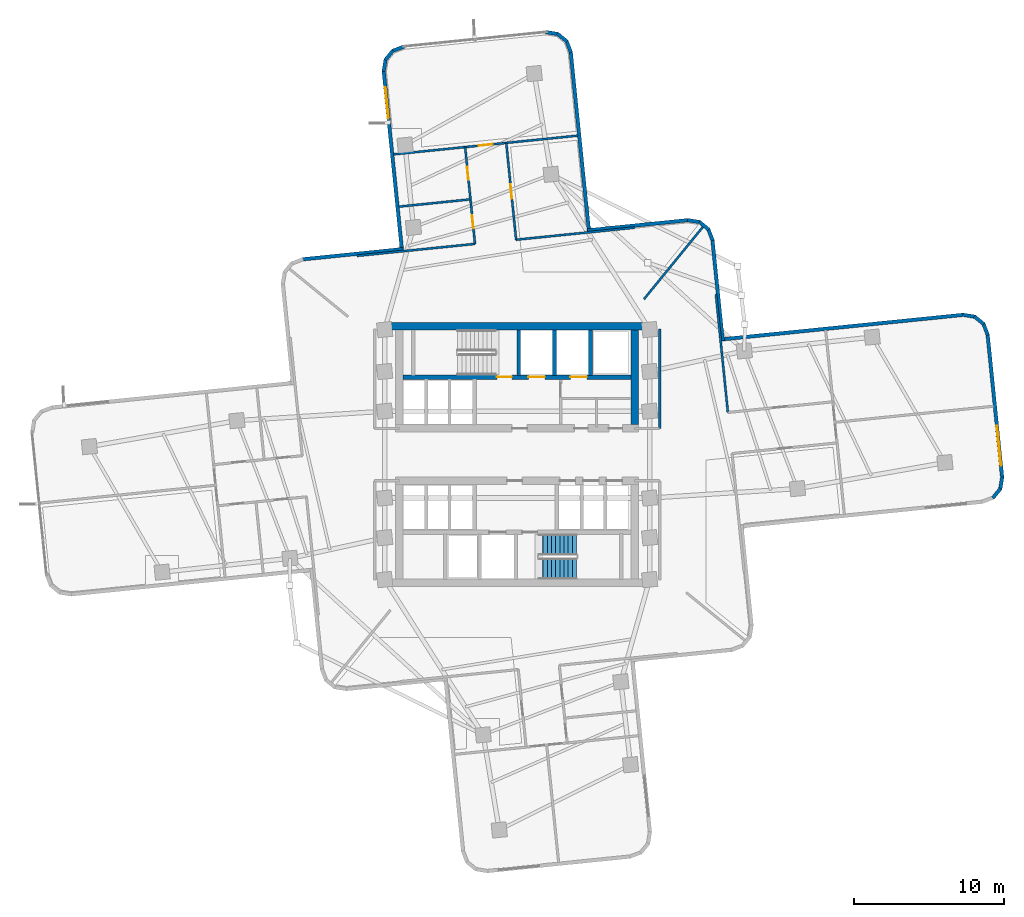
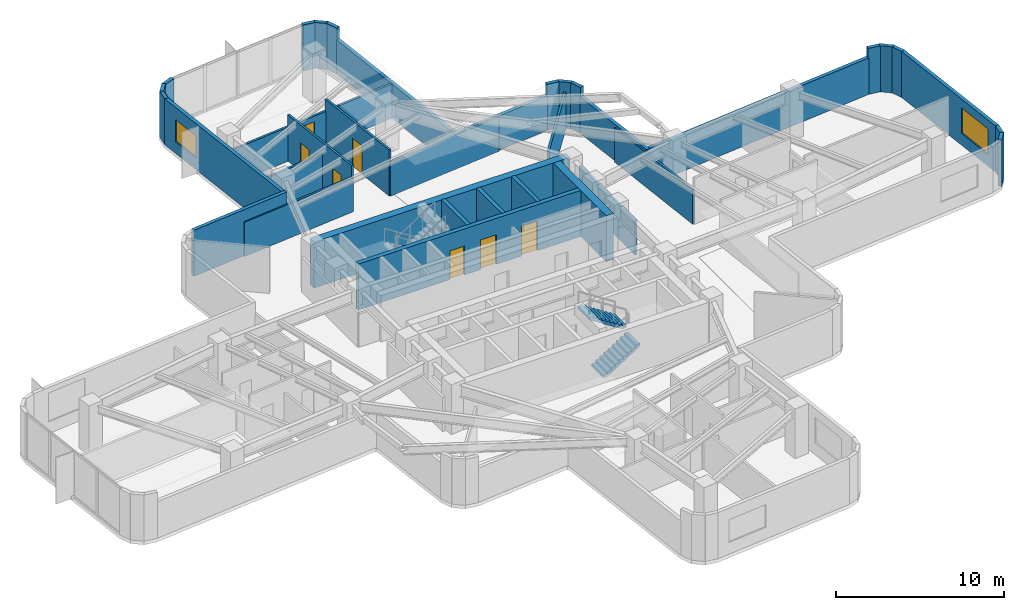
# One storey, part 8 of 12: 36 walls, 7 doors, 2 stair flights, 2 windows, 9 openings, 1 element without a shape of its own.
"""IFC4 building model written with IfcOpenShell, lengths in metres."""

from ifc_helpers import new_model, si_unit, direction, frame, frame_2d, origin, place, context, subcontext, project, spatial, polyline, rectangle, outline, extrude, material, layer, layer_set, type_object, element, fill, aggregate, save


model = new_model("IFC4")

# Units and contexts
model_context = context("Model", 3, precision=1e-05, world=origin(), true_north=direction((0.0, 1.0)))
body_context = subcontext(model_context, "Body", "Model", "MODEL_VIEW")
ifc_project = project(units=[si_unit("LENGTHUNIT", "METRE"), si_unit("AREAUNIT", "SQUARE_METRE"), si_unit("VOLUMEUNIT", "CUBIC_METRE"), si_unit("PLANEANGLEUNIT", "RADIAN"), si_unit("MASSUNIT", "GRAM", prefix="KILO")], contexts=[model_context])

# Site, building, storey
site_placement = place(None, origin())
site = spatial("IfcSite", under=ifc_project, at=site_placement, CompositionType="ELEMENT")
building_placement = place(site_placement, origin())
building = spatial("IfcBuilding", under=site, at=building_placement, Name="Solmarez Civic Tower", CompositionType="ELEMENT")
storey_placement = place(building_placement, frame((0.0, 0.0, 74.8798828125)))
storey = spatial("IfcBuildingStorey", under=building, at=storey_placement, Name="L19", CompositionType="ELEMENT", Elevation=74.8798828125)

# Walls
ifc_material_1 = material(Name="Concrete C60/75", Category="concrete")
ifc_layer_1 = layer(ifc_material_1, 0.5)
ifc_layer_set_1 = layer_set([ifc_layer_1], Name="Concrete C60/75")
wall_type_1 = type_object("IfcWallType", Name="WALL-CORE-500", PredefinedType="SHEAR", material=ifc_layer_set_1)
wall_1_placement = place(storey_placement, frame((-8.780029296875, 8.56005859375, 0.0), z_axis=(0.0, 0.0, 1.0), x_axis=(1.0, 0.0, 0.0)))
element("IfcWall", 1, at=wall_1_placement, inside=storey, type_object=wall_type_1, Name="L19 Split-Core Structural Wall NCW-N-L19", PredefinedType="SHEAR", context=body_context, shape_type="SweptSolid", body=[
    extrude(rectangle(XDim=17.56005859375, YDim=0.5, at=frame_2d((8.780029296875, 0.0))), origin(), (0.0, 0.0, 1.0), 3.340087890625),
])
wall_2_placement = place(storey_placement, frame((7.8701171875, 8.31005859375, 0.0), z_axis=(0.0, 0.0, 1.0), x_axis=(0.0, -1.0, 0.0)))
element("IfcWall", 2, at=wall_2_placement, inside=storey, type_object=wall_type_1, Name="L19 Split-Core Structural Wall NCW-E-L19", PredefinedType="SHEAR", context=body_context, shape_type="SweptSolid", body=[
    extrude(rectangle(XDim=6.31005859375, YDim=0.5, at=frame_2d((3.155029296875, 0.0))), origin(), (0.0, 0.0, 1.0), 3.340087890625),
])
ifc_material_2 = material(Name="Precast concrete C40/50", Category="concrete")
ifc_layer_2 = layer(ifc_material_2, 0.239990234375)
ifc_layer_set_2 = layer_set([ifc_layer_2], Name="Precast concrete C40/50")
wall_type_2 = type_object("IfcWallType", Name="WALL-EXT-240", PredefinedType="SOLIDWALL", material=ifc_layer_set_2)
wall_3_placement = place(storey_placement, frame((-14.35107421875, 13.0458984375, 0.0), z_axis=(0.0, 0.0, 1.0), x_axis=(0.994861212257, 0.101248053545, 0.0)))
element("IfcWall", 3, at=wall_3_placement, inside=storey, type_object=wall_type_2, Name="L19 Exterior Precast Wall 17", PredefinedType="SOLIDWALL", context=body_context, shape_type="SweptSolid", body=[
    extrude(rectangle(XDim=6.77587890625, YDim=0.239990234375, at=frame_2d((3.387939453125, 0.0))), origin(), (0.0, 0.0, 1.0), 3.340087890625),
])

# Wall, opening, window
wall_4_placement = place(storey_placement, frame((-7.696044921875, 13.6259765625, 0.0), z_axis=(0.0, 0.0, 1.0), x_axis=(-0.101115101, 0.994874733999, 0.0)))
wall_4 = element("IfcWall", 4, at=wall_4_placement, inside=storey, type_object=wall_type_2, Name="L19 Exterior Precast Wall 20", PredefinedType="SOLIDWALL", context=body_context, shape_type="SweptSolid", body=[
    extrude(rectangle(XDim=12.07470703125, YDim=0.239990234375, at=frame_2d((6.037353515625, 0.0))), origin(), (0.0, 0.0, 1.0), 3.340087890625),
])
opening_1_placement = place(wall_4_placement, frame((8.875, 0.0, 0.85009765625)))
opening_1 = element("IfcOpeningElement", 5, at=opening_1_placement, cuts=wall_4, Name="Opening W-11", PredefinedType="OPENING", context=body_context, shape_type="SweptSolid", body=[
    extrude(rectangle(XDim=2.10009765625, YDim=1.60009765625, at=frame_2d((1.050048828125, 0.800048828125))), frame((0.0, 0.1298828125, 0.0), z_axis=(0.0, -1.0, 0.0), x_axis=(1.0, 0.0, 0.0)), (0.0, 0.0, 1.0), 0.260009765625),
])
ifc_material_3 = material(Name="Solar Control Bronze-Tinted Insulating Glass", Category="glass")
window_type_1 = type_object("IfcWindowType", Name="WIN-2100X1600", PartitioningType="SINGLE_PANEL", PredefinedType="WINDOW", material=ifc_material_3)
window_1_placement = place(opening_1_placement, origin())
window_1 = element("IfcWindow", 6, at=window_1_placement, inside=storey, type_object=window_type_1, Name="L19 Exterior Facade Window 20", OverallHeight=1.60009765625, OverallWidth=2.10009765625, PartitioningType="SINGLE_PANEL", PredefinedType="WINDOW", context=body_context, shape_type="SweptSolid", body=[
    extrude(rectangle(XDim=2.10009765625, YDim=1.60009765625, at=frame_2d((1.050048828125, 0.800048828125))), frame((0.0, 0.030029296875, 0.0), z_axis=(0.0, -1.0, 0.0), x_axis=(1.0, 0.0, 0.0)), (0.0, 0.0, 1.0), 0.06005859375),
])
fill(opening_1, window_1)

# Walls
wall_5_placement = place(storey_placement, frame((-8.91796875, 25.589111328125, 0.0), z_axis=(0.0, 0.0, 1.0), x_axis=(0.160017033906, 0.987114253195, 0.0)))
element("IfcWall", 7, at=wall_5_placement, inside=storey, type_object=wall_type_2, Name="L19 Exterior Precast Wall 21", PredefinedType="SOLIDWALL", context=body_context, shape_type="SweptSolid", body=[
    extrude(rectangle(XDim=0.83154296875, YDim=0.239990234375, at=frame_2d((0.415771484375, 0.0))), origin(), (0.0, 0.0, 1.0), 3.340087890625),
])
wall_6_placement = place(storey_placement, frame((-8.804931640625, 26.365966796875, 0.0), z_axis=(0.0, 0.0, 1.0), x_axis=(0.632027096542, 0.774946287969, 0.0)))
element("IfcWall", 8, at=wall_6_placement, inside=storey, type_object=wall_type_2, Name="L19 Exterior Precast Wall 22", PredefinedType="SOLIDWALL", context=body_context, shape_type="SweptSolid", body=[
    extrude(rectangle(XDim=0.813232421875, YDim=0.239990234375, at=frame_2d((0.40673828125, 0.0))), origin(), (0.0, 0.0, 1.0), 3.340087890625),
])
wall_7_placement = place(storey_placement, frame((-8.330078125, 26.968017578125, 0.0), z_axis=(0.0, 0.0, 1.0), x_axis=(0.934785533372, 0.355212621678, 0.0)))
element("IfcWall", 9, at=wall_7_placement, inside=storey, type_object=wall_type_2, Name="L19 Exterior Precast Wall 23", PredefinedType="SOLIDWALL", context=body_context, shape_type="SweptSolid", body=[
    extrude(rectangle(XDim=0.830322265625, YDim=0.239990234375, at=frame_2d((0.4150390625, 0.0))), origin(), (0.0, 0.0, 1.0), 3.340087890625),
])
wall_8_placement = place(storey_placement, frame((1.9169921875, 28.22509765625, 0.0), z_axis=(0.0, 0.0, 1.0), x_axis=(0.987091669755, -0.160156284613, 0.0)))
element("IfcWall", 10, at=wall_8_placement, inside=storey, type_object=wall_type_2, Name="L19 Exterior Precast Wall 25", PredefinedType="SOLIDWALL", context=body_context, shape_type="SweptSolid", body=[
    extrude(rectangle(XDim=0.830810546875, YDim=0.239990234375, at=frame_2d((0.41552734375, 0.0))), origin(), (0.0, 0.0, 1.0), 3.340087890625),
])
wall_9_placement = place(storey_placement, frame((2.693115234375, 28.112060546875, 0.0), z_axis=(0.0, 0.0, 1.0), x_axis=(0.774090961032, -0.633074390612, 0.0)))
element("IfcWall", 11, at=wall_9_placement, inside=storey, type_object=wall_type_2, Name="L19 Exterior Precast Wall 26", PredefinedType="SOLIDWALL", context=body_context, shape_type="SweptSolid", body=[
    extrude(rectangle(XDim=0.813720703125, YDim=0.239990234375, at=frame_2d((0.40673828125, 0.0))), origin(), (0.0, 0.0, 1.0), 3.340087890625),
])
wall_10_placement = place(storey_placement, frame((3.294921875, 27.635986328125, 0.0), z_axis=(0.0, 0.0, 1.0), x_axis=(0.356986424395, -0.934109572158, 0.0)))
element("IfcWall", 12, at=wall_10_placement, inside=storey, type_object=wall_type_2, Name="L19 Exterior Precast Wall 27", PredefinedType="SOLIDWALL", context=body_context, shape_type="SweptSolid", body=[
    extrude(rectangle(XDim=0.82958984375, YDim=0.239990234375, at=frame_2d((0.414794921875, 0.0))), origin(), (0.0, 0.0, 1.0), 3.340087890625),
])
wall_11_placement = place(storey_placement, frame((3.5791015625, 26.908935546875, 0.0), z_axis=(0.0, 0.0, 1.0), x_axis=(0.10110696579, -0.994875560796, 0.0)))
element("IfcWall", 13, at=wall_11_placement, inside=storey, type_object=wall_type_2, Name="L19 Exterior Precast Wall 28", PredefinedType="SOLIDWALL", context=body_context, shape_type="SweptSolid", body=[
    extrude(rectangle(XDim=12.07568359375, YDim=0.239990234375, at=frame_2d((6.037841796875, 0.0))), origin(), (0.0, 0.0, 1.0), 2.486083984375),
])
wall_12_placement = place(storey_placement, frame((4.694091796875, 14.98095703125, 0.0), z_axis=(0.0, 0.0, 1.0), x_axis=(0.994875719665, 0.101105402534, 0.0)))
element("IfcWall", 14, at=wall_12_placement, inside=storey, type_object=wall_type_2, Name="L19 Exterior Precast Wall 31", PredefinedType="SOLIDWALL", context=body_context, shape_type="SweptSolid", body=[
    extrude(rectangle(XDim=6.775634765625, YDim=0.239990234375, at=frame_2d((3.3876953125, 0.0))), origin(), (0.0, 0.0, 1.0), 2.486083984375),
])
wall_13_placement = place(storey_placement, frame((11.385009765625, 15.6669921875, 0.0), z_axis=(0.0, 0.0, 1.0), x_axis=(0.987091669755, -0.160156284613, 0.0)))
element("IfcWall", 15, at=wall_13_placement, inside=storey, type_object=wall_type_2, Name="L19 Exterior Precast Wall 32", PredefinedType="SOLIDWALL", context=body_context, shape_type="SweptSolid", body=[
    extrude(rectangle(XDim=0.830810546875, YDim=0.239990234375, at=frame_2d((0.41552734375, 0.0))), origin(), (0.0, 0.0, 1.0), 3.340087890625),
])
wall_14_placement = place(storey_placement, frame((12.160888671875, 15.553955078125, 0.0), z_axis=(0.0, 0.0, 1.0), x_axis=(0.774946287969, -0.632027096542, 0.0)))
element("IfcWall", 16, at=wall_14_placement, inside=storey, type_object=wall_type_2, Name="L19 Exterior Precast Wall 33", PredefinedType="SOLIDWALL", context=body_context, shape_type="SweptSolid", body=[
    extrude(rectangle(XDim=0.813232421875, YDim=0.239990234375, at=frame_2d((0.40673828125, 0.0))), origin(), (0.0, 0.0, 1.0), 3.340087890625),
])
wall_15_placement = place(storey_placement, frame((12.762939453125, 15.0791015625, 0.0), z_axis=(0.0, 0.0, 1.0), x_axis=(0.355469529522, -0.934687869602, 0.0)))
element("IfcWall", 17, at=wall_15_placement, inside=storey, type_object=wall_type_2, Name="L19 Exterior Precast Wall 34", PredefinedType="SOLIDWALL", context=body_context, shape_type="SweptSolid", body=[
    extrude(rectangle(XDim=0.830322265625, YDim=0.239990234375, at=frame_2d((0.4150390625, 0.0))), origin(), (0.0, 0.0, 1.0), 3.340087890625),
])
wall_16_placement = place(storey_placement, frame((13.0458984375, 14.35107421875, 0.0), z_axis=(0.0, 0.0, 1.0), x_axis=(0.101248053545, -0.994861212257, 0.0)))
element("IfcWall", 18, at=wall_16_placement, inside=storey, type_object=wall_type_2, Name="L19 Exterior Precast Wall 35", PredefinedType="SOLIDWALL", context=body_context, shape_type="SweptSolid", body=[
    extrude(rectangle(XDim=6.77587890625, YDim=0.239990234375, at=frame_2d((3.387939453125, 0.0))), origin(), (0.0, 0.0, 1.0), 2.64404296875),
])
wall_17_placement = place(storey_placement, frame((13.6259765625, 7.696044921875, 0.0), z_axis=(0.0, 0.0, 1.0), x_axis=(0.994872930989, 0.101132839298, 0.0)))
element("IfcWall", 19, at=wall_17_placement, inside=storey, type_object=wall_type_2, Name="L19 Exterior Precast Wall 38", PredefinedType="SOLIDWALL", context=body_context, shape_type="SweptSolid", body=[
    extrude(rectangle(XDim=16.275634765625, YDim=0.239990234375, at=frame_2d((8.1376953125, 0.0))), origin(), (0.0, 0.0, 1.0), 2.64404296875),
])
wall_18_placement = place(storey_placement, frame((29.76806640625, 9.343017578125, 0.0), z_axis=(0.0, 0.0, 1.0), x_axis=(0.987084128833, -0.160202754679, 0.0)))
element("IfcWall", 20, at=wall_18_placement, inside=storey, type_object=wall_type_2, Name="L19 Exterior Precast Wall 39", PredefinedType="SOLIDWALL", context=body_context, shape_type="SweptSolid", body=[
    extrude(rectangle(XDim=0.83056640625, YDim=0.239990234375, at=frame_2d((0.415283203125, 0.0))), origin(), (0.0, 0.0, 1.0), 3.340087890625),
])
wall_19_placement = place(storey_placement, frame((30.5439453125, 9.22998046875, 0.0), z_axis=(0.0, 0.0, 1.0), x_axis=(0.774358164226, -0.632747527452, 0.0)))
element("IfcWall", 21, at=wall_19_placement, inside=storey, type_object=wall_type_2, Name="L19 Exterior Precast Wall 40", PredefinedType="SOLIDWALL", context=body_context, shape_type="SweptSolid", body=[
    extrude(rectangle(XDim=0.813720703125, YDim=0.239990234375, at=frame_2d((0.40673828125, 0.0))), origin(), (0.0, 0.0, 1.0), 3.340087890625),
])
wall_20_placement = place(storey_placement, frame((31.14599609375, 8.75390625, 0.0), z_axis=(0.0, 0.0, 1.0), x_axis=(0.355701438235, -0.934599639866, 0.0)))
element("IfcWall", 22, at=wall_20_placement, inside=storey, type_object=wall_type_2, Name="L19 Exterior Precast Wall 41", PredefinedType="SOLIDWALL", context=body_context, shape_type="SweptSolid", body=[
    extrude(rectangle(XDim=0.8291015625, YDim=0.239990234375, at=frame_2d((0.41455078125, 0.0))), origin(), (0.0, 0.0, 1.0), 3.340087890625),
])

# Wall, opening, window
wall_21_placement = place(storey_placement, frame((31.428955078125, 8.027099609375, 0.0), z_axis=(0.0, 0.0, 1.0), x_axis=(0.101164586776, -0.994869703219, 0.0)))
wall_21 = element("IfcWall", 23, at=wall_21_placement, inside=storey, type_object=wall_type_2, Name="L19 Exterior Precast Wall 42", PredefinedType="SOLIDWALL", context=body_context, shape_type="SweptSolid", body=[
    extrude(rectangle(XDim=9.619384765625, YDim=0.239990234375, at=frame_2d((4.8095703125, 0.0))), origin(), (0.0, 0.0, 1.0), 3.340087890625),
])
opening_2_placement = place(wall_21_placement, frame((6.118896484375, 0.0, 0.85009765625)))
opening_2 = element("IfcOpeningElement", 24, at=opening_2_placement, cuts=wall_21, Name="Opening W-05", PredefinedType="OPENING", context=body_context, shape_type="SweptSolid", body=[
    extrude(rectangle(XDim=2.699951171875, YDim=1.85009765625, at=frame_2d((1.35009765625, 0.925048828125))), frame((0.0, 0.1298828125, 0.0), z_axis=(0.0, -1.0, 0.0), x_axis=(1.0, 0.0, 0.0)), (0.0, 0.0, 1.0), 0.260009765625),
])
window_type_2 = type_object("IfcWindowType", Name="WIN-2700X1850", PartitioningType="SINGLE_PANEL", PredefinedType="WINDOW", material=ifc_material_3)
window_2_placement = place(opening_2_placement, origin())
window_2 = element("IfcWindow", 25, at=window_2_placement, inside=storey, type_object=window_type_2, Name="L19 Exterior Facade Window 42", OverallHeight=1.85009765625, OverallWidth=2.699951171875, PartitioningType="SINGLE_PANEL", PredefinedType="WINDOW", context=body_context, shape_type="SweptSolid", body=[
    extrude(rectangle(XDim=2.699951171875, YDim=1.85009765625, at=frame_2d((1.35009765625, 0.925048828125))), frame((0.0, 0.030029296875, 0.0), z_axis=(0.0, -1.0, 0.0), x_axis=(1.0, 0.0, 0.0)), (0.0, 0.0, 1.0), 0.06005859375),
])
fill(opening_2, window_2)

# Walls
wall_22_placement = place(storey_placement, frame((32.403076171875, -1.492919921875, 0.0), z_axis=(0.0, 0.0, 1.0), x_axis=(-0.160156284613, -0.987091669755, 0.0)))
element("IfcWall", 26, at=wall_22_placement, inside=storey, type_object=wall_type_2, Name="L19 Exterior Precast Wall 43", PredefinedType="SOLIDWALL", context=body_context, shape_type="SweptSolid", body=[
    extrude(rectangle(XDim=0.830810546875, YDim=0.239990234375, at=frame_2d((0.41552734375, 0.0))), origin(), (0.0, 0.0, 1.0), 3.340087890625),
])
wall_23_placement = place(storey_placement, frame((32.2900390625, -2.26904296875, 0.0), z_axis=(0.0, 0.0, 1.0), x_axis=(-0.632354425822, -0.774679211121, 0.0)))
element("IfcWall", 27, at=wall_23_placement, inside=storey, type_object=wall_type_2, Name="L19 Exterior Precast Wall 44", PredefinedType="SOLIDWALL", context=body_context, shape_type="SweptSolid", body=[
    extrude(rectangle(XDim=0.81298828125, YDim=0.239990234375, at=frame_2d((0.406494140625, 0.0))), origin(), (0.0, 0.0, 1.0), 3.340087890625),
])
ifc_material_4 = material(Name="Gypsum Board Acoustic Steel-Stud Partition", Category="steel")
ifc_layer_3 = layer(ifc_material_4, 0.14990234375)
ifc_layer_set_3 = layer_set([ifc_layer_3], Name="Gypsum Board Acoustic Steel-Stud Partition")
wall_type_3 = type_object("IfcWallType", Name="WALL-INT-FIRE-150", PredefinedType="PARTITIONING", material=ifc_layer_set_3)
wall_24_placement = place(storey_placement, frame((9.52001953125, 1.75, 0.0), z_axis=(0.0, 0.0, 1.0), x_axis=(0.0, 1.0, 0.0)))
element("IfcWall", 28, at=wall_24_placement, inside=storey, type_object=wall_type_3, Name="L19 Interior Partition CHW-L19-EN1", PredefinedType="PARTITIONING", context=body_context, shape_type="SweptSolid", body=[
    extrude(rectangle(XDim=6.6298828125, YDim=0.14990234375, at=frame_2d((3.31494140625, 0.0))), origin(), (0.0, 0.0, 1.0), 2.486083984375),
])
ifc_layer_4 = layer(ifc_material_4, 0.14501953125)
ifc_layer_set_4 = layer_set([ifc_layer_4], Name="Gypsum Board Acoustic Steel-Stud Partition")
wall_type_4 = type_object("IfcWallType", Name="WALL-INT-PART-150", PredefinedType="PARTITIONING", material=ifc_layer_set_4)
wall_25_placement = place(storey_placement, frame((8.466064453125, 10.3798828125, 0.0), z_axis=(0.0, 0.0, 1.0), x_axis=(0.631992375104, 0.774974604623, 0.0)))
element("IfcWall", 29, at=wall_25_placement, inside=storey, type_object=wall_type_4, Name="L19 Interior Partition PT-L19-QDIV-1", PredefinedType="PARTITIONING", context=body_context, shape_type="SweptSolid", body=[
    extrude(rectangle(XDim=6.259765625, YDim=0.14501953125, at=frame_2d((3.1298828125, 0.0))), origin(), (0.0, 0.0, 1.0), 2.64404296875),
])
for number, where, z_axis, x_axis, name in (
    (30, (14.077880859375, 2.806884765625, 0.0), (0.0, 0.0, 1.0), (-0.100884076592, 0.994898187299, 0.0), "L19 Interior Partition PT-L19-E-EFL"),
    (31, (-2.806884765625, 14.077880859375, 0.0), (0.0, 0.0, 1.0), (-0.994898187299, -0.100884076592, 0.0), "L19 Interior Partition PT-L19-N-EFL"),
    (32, (7.827880859375, 15.158935546875, 0.0), (0.0, 0.0, 1.0), (-0.994873184944, -0.101130341041, 0.0), "L19 Interior Partition PT-L19-N-EFR"),
):
    element("IfcWall", number, at=place(storey_placement, frame(where, z_axis=z_axis, x_axis=x_axis)), inside=storey, type_object=wall_type_4, Name=name, PredefinedType="PARTITIONING", context=body_context, shape_type="SweptSolid", body=[
        extrude(rectangle(XDim=7.94970703125, YDim=0.14501953125, at=frame_2d((3.974853515625, 0.0))), origin(), (0.0, 0.0, 1.0), 2.486083984375),
    ])
wall_26_placement = place(storey_placement, frame((-3.138916015625, 17.050048828125, 0.0), z_axis=(0.0, 0.0, 1.0), x_axis=(-0.994870487333, -0.101156875362, 0.0)))
element("IfcWall", 33, at=wall_26_placement, inside=storey, type_object=wall_type_4, Name="L19 Interior Partition PT-L19-N-LM", PredefinedType="PARTITIONING", context=body_context, shape_type="SweptSolid", body=[
    extrude(rectangle(XDim=4.795654296875, YDim=0.14501953125, at=frame_2d((2.39794921875, 0.0))), origin(), (0.0, 0.0, 1.0), 2.486083984375),
])

# Wall, openings, doors
wall_27_placement = place(storey_placement, frame((-3.47412109375, 20.5439453125, 0.0), z_axis=(0.0, 0.0, 1.0), x_axis=(0.101106315361, -0.994875626897, 0.0)))
wall_27 = element("IfcWall", 34, at=wall_27_placement, inside=storey, type_object=wall_type_4, Name="L19 Interior Partition PT-L19-N-SL", PredefinedType="PARTITIONING", context=body_context, shape_type="SweptSolid", body=[
    extrude(rectangle(XDim=6.500244140625, YDim=0.14501953125, at=frame_2d((3.25, 0.0))), origin(), (0.0, 0.0, 1.0), 3.340087890625),
])
opening_3_placement = place(wall_27_placement, frame((4.574951171875, 0.0, 0.0)))
opening_3 = element("IfcOpeningElement", 35, at=opening_3_placement, cuts=wall_27, Name="Opening D-14", PredefinedType="OPENING", context=body_context, shape_type="SweptSolid", body=[
    extrude(rectangle(XDim=0.860107421875, YDim=2.0400390625, at=frame_2d((0.43017578125, 1.02001953125))), frame((0.0, 0.08251953125, 0.0), z_axis=(0.0, -1.0, 0.0), x_axis=(1.0, 0.0, 0.0)), (0.0, 0.0, 1.0), 0.1650390625),
])
opening_4_placement = place(wall_27_placement, frame((1.324951171875, 0.0, 0.0)))
opening_4 = element("IfcOpeningElement", 36, at=opening_4_placement, cuts=wall_27, Name="Opening D-14", PredefinedType="OPENING", context=body_context, shape_type="SweptSolid", body=[
    extrude(rectangle(XDim=0.860107421875, YDim=2.0400390625, at=frame_2d((0.43017578125, 1.02001953125))), frame((0.0, 0.08251953125, 0.0), z_axis=(0.0, -1.0, 0.0), x_axis=(1.0, 0.0, 0.0)), (0.0, 0.0, 1.0), 0.1650390625),
])
ifc_material_5 = material(Name="Timber Storage and Pantry Door", Category="wood")
door_type_1 = type_object("IfcDoorType", Name="DOOR-INT-850", OperationType="NOTDEFINED", PredefinedType="DOOR", material=ifc_material_5)
door_1_placement = place(opening_3_placement, origin())
door_1 = element("IfcDoor", 37, at=door_1_placement, inside=storey, type_object=door_type_1, Name="L19 Breakout Huddle Room First North Door", OperationType="SINGLE_SWING_LEFT", OverallHeight=2.0400390625, OverallWidth=0.860107421875, PredefinedType="DOOR", context=body_context, shape_type="SweptSolid", body=[
    extrude(rectangle(XDim=0.860107421875, YDim=2.0400390625, at=frame_2d((0.43017578125, 1.02001953125))), frame((0.0, 0.02490234375, 0.0), z_axis=(0.0, -1.0, 0.0), x_axis=(1.0, 0.0, 0.0)), (0.0, 0.0, 1.0), 0.050048828125),
])
fill(opening_3, door_1)
door_2_placement = place(opening_4_placement, origin())
door_2 = element("IfcDoor", 38, at=door_2_placement, inside=storey, type_object=door_type_1, Name="L19 Municipal Mailroom Second North Door", OperationType="SINGLE_SWING_RIGHT", OverallHeight=2.0400390625, OverallWidth=0.860107421875, PredefinedType="DOOR", context=body_context, shape_type="SweptSolid", body=[
    extrude(rectangle(XDim=0.860107421875, YDim=2.0400390625, at=frame_2d((0.43017578125, 1.02001953125))), frame((0.0, 0.02490234375, 0.0), z_axis=(0.0, -1.0, 0.0), x_axis=(1.0, 0.0, 0.0)), (0.0, 0.0, 1.0), 0.050048828125),
])
fill(opening_4, door_2)

# Wall, opening, door
wall_28_placement = place(storey_placement, frame((-0.071044921875, 14.35595703125, 0.0), z_axis=(0.0, 0.0, 1.0), x_axis=(-0.10106914102, 0.994879404116, 0.0)))
wall_28 = element("IfcWall", 39, at=wall_28_placement, inside=storey, type_object=wall_type_4, Name="L19 Interior Partition PT-L19-N-SR", PredefinedType="PARTITIONING", context=body_context, shape_type="SweptSolid", body=[
    extrude(rectangle(XDim=6.500244140625, YDim=0.14501953125, at=frame_2d((3.25, 0.0))), origin(), (0.0, 0.0, 1.0), 3.340087890625),
])
opening_5_placement = place(wall_28_placement, frame((2.77001953125, 0.0, 0.0)))
opening_5 = element("IfcOpeningElement", 40, at=opening_5_placement, cuts=wall_28, Name="Opening D-10", PredefinedType="OPENING", context=body_context, shape_type="SweptSolid", body=[
    extrude(rectangle(XDim=0.949951171875, YDim=2.080078125, at=frame_2d((0.47509765625, 1.0400390625))), frame((0.0, 0.08251953125, 0.0), z_axis=(0.0, -1.0, 0.0), x_axis=(1.0, 0.0, 0.0)), (0.0, 0.0, 1.0), 0.1650390625),
])
ifc_material_6 = material(Name="Solid-Core Timber Ministry Office Door", Category="wood")
door_type_2 = type_object("IfcDoorType", Name="DOOR-INT-950", OperationType="NOTDEFINED", PredefinedType="DOOR", material=ifc_material_6)
door_3_placement = place(opening_5_placement, origin())
door_3 = element("IfcDoor", 41, at=door_3_placement, inside=storey, type_object=door_type_2, Name="L19 Staff Tea Pantry Third North Door", OperationType="SINGLE_SWING_RIGHT", OverallHeight=2.080078125, OverallWidth=0.949951171875, PredefinedType="DOOR", context=body_context, shape_type="SweptSolid", body=[
    extrude(rectangle(XDim=0.949951171875, YDim=2.080078125, at=frame_2d((0.47509765625, 1.0400390625))), frame((0.0, 0.02490234375, 0.0), z_axis=(0.0, -1.0, 0.0), x_axis=(1.0, 0.0, 0.0)), (0.0, 0.0, 1.0), 0.050048828125),
])
fill(opening_5, door_3)

wall_29_placement = place(storey_placement, frame((-8.263916015625, 20.05810546875, 0.0), z_axis=(0.0, 0.0, 1.0), x_axis=(0.994881268395, 0.101050788209, 0.0)))
wall_29 = element("IfcWall", 42, at=wall_29_placement, inside=storey, type_object=wall_type_4, Name="L19 Interior Partition PT-L19-N-END", PredefinedType="PARTITIONING", context=body_context, shape_type="SweptSolid", body=[
    extrude(rectangle(XDim=12.389404296875, YDim=0.14501953125, at=frame_2d((6.19482421875, 0.0))), origin(), (0.0, 0.0, 1.0), 2.486083984375),
])
opening_6_placement = place(wall_29_placement, frame((5.719970703125, 0.0, 0.0)))
opening_6 = element("IfcOpeningElement", 43, at=opening_6_placement, cuts=wall_29, Name="Opening D-10", PredefinedType="OPENING", context=body_context, shape_type="SweptSolid", body=[
    extrude(rectangle(XDim=0.949951171875, YDim=2.080078125, at=frame_2d((0.47509765625, 1.0400390625))), frame((0.0, 0.08251953125, 0.0), z_axis=(0.0, -1.0, 0.0), x_axis=(1.0, 0.0, 0.0)), (0.0, 0.0, 1.0), 0.1650390625),
])
door_4_placement = place(opening_6_placement, origin())
door_4 = element("IfcDoor", 44, at=door_4_placement, inside=storey, type_object=door_type_2, Name="L19 Staff Tea Pantry Fifth North Door", OperationType="SINGLE_SWING_LEFT", OverallHeight=2.080078125, OverallWidth=0.949951171875, PredefinedType="DOOR", context=body_context, shape_type="SweptSolid", body=[
    extrude(rectangle(XDim=0.949951171875, YDim=2.080078125, at=frame_2d((0.47509765625, 1.0400390625))), frame((0.0, 0.02490234375, 0.0), z_axis=(0.0, -1.0, 0.0), x_axis=(1.0, 0.0, 0.0)), (0.0, 0.0, 1.0), 0.050048828125),
])
fill(opening_6, door_4)

# Wall, openings, doors
ifc_material_7 = material(Name="Concrete C50/60", Category="concrete")
ifc_layer_5 = layer(ifc_material_7, 0.300048828125)
ifc_layer_set_5 = layer_set([ifc_layer_5], Name="Concrete C50/60")
wall_type_5 = type_object("IfcWallType", Name="WALL-STR-300", PredefinedType="SOLIDWALL", material=ifc_layer_set_5)
wall_30_placement = place(storey_placement, frame((7.6201171875, 5.179931640625, 0.0), z_axis=(0.0, 0.0, 1.0), x_axis=(-1.0, 0.0, 0.0)))
wall_30 = element("IfcWall", 45, at=wall_30_placement, inside=storey, type_object=wall_type_5, Name="L19 Split-Core Structural Wall NCW-M-L19", PredefinedType="SOLIDWALL", context=body_context, shape_type="SweptSolid", body=[
    extrude(rectangle(XDim=15.240234375, YDim=0.300048828125, at=frame_2d((7.6201171875, 0.0))), origin(), (0.0, 0.0, 1.0), 3.340087890625),
])
opening_7_placement = place(wall_30_placement, frame((5.77001953125, 0.0, 0.0)))
opening_7 = element("IfcOpeningElement", 46, at=opening_7_placement, cuts=wall_30, Name="Opening LD-02", PredefinedType="OPENING", context=body_context, shape_type="SweptSolid", body=[
    extrude(rectangle(XDim=1.10009765625, YDim=2.14990234375, at=frame_2d((0.550048828125, 1.074951171875))), frame((0.0, 0.159912109375, 0.0), z_axis=(0.0, -1.0, 0.0), x_axis=(1.0, 0.0, 0.0)), (0.0, 0.0, 1.0), 0.320068359375),
])
opening_8_placement = place(wall_30_placement, frame((2.969970703125, 0.0, 0.0)))
opening_8 = element("IfcOpeningElement", 47, at=opening_8_placement, cuts=wall_30, Name="Opening LD-03", PredefinedType="OPENING", context=body_context, shape_type="SweptSolid", body=[
    extrude(rectangle(XDim=1.10009765625, YDim=2.14990234375, at=frame_2d((0.550048828125, 1.074951171875))), frame((0.0, 0.159912109375, 0.0), z_axis=(0.0, -1.0, 0.0), x_axis=(1.0, 0.0, 0.0)), (0.0, 0.0, 1.0), 0.320068359375),
])
opening_9_placement = place(wall_30_placement, frame((7.969970703125, 0.0, 0.0)))
opening_9 = element("IfcOpeningElement", 48, at=opening_9_placement, cuts=wall_30, Name="Opening D-05", PredefinedType="OPENING", context=body_context, shape_type="SweptSolid", body=[
    extrude(rectangle(XDim=1.0, YDim=2.10009765625, at=frame_2d((0.5, 1.050048828125))), frame((0.0, 0.159912109375, 0.0), z_axis=(0.0, -1.0, 0.0), x_axis=(1.0, 0.0, 0.0)), (0.0, 0.0, 1.0), 0.320068359375),
])
ifc_material_8 = material(Name="Fire-Rated Stairwell Exit Door", Category="wood")
door_type_3 = type_object("IfcDoorType", Name="DOOR-FD90-1000", OperationType="NOTDEFINED", PredefinedType="DOOR", material=ifc_material_8)
door_5_placement = place(opening_9_placement, origin())
door_5 = element("IfcDoor", 49, at=door_5_placement, inside=storey, type_object=door_type_3, Name="L19 North Exit Stair Door ST-1", OperationType="SINGLE_SWING_RIGHT", OverallHeight=2.10009765625, OverallWidth=1.0, PredefinedType="DOOR", context=body_context, shape_type="SweptSolid", body=[
    extrude(rectangle(XDim=1.0, YDim=2.10009765625, at=frame_2d((0.5, 1.050048828125))), frame((0.0, 0.02490234375, 0.0), z_axis=(0.0, -1.0, 0.0), x_axis=(1.0, 0.0, 0.0)), (0.0, 0.0, 1.0), 0.050048828125),
])
fill(opening_9, door_5)
ifc_material_9 = material(Name="Stainless Firefighting Lift Landing Sliding Door", Category="aluminium")
door_type_4 = type_object("IfcDoorType", Name="DOOR-LD-FF-1100", OperationType="DOUBLE_DOOR_SLIDING", PredefinedType="DOOR", material=ifc_material_9)
door_6_placement = place(opening_7_placement, origin())
door_6 = element("IfcDoor", 50, at=door_6_placement, inside=storey, type_object=door_type_4, Name="L19 Firefighting Lift Landing Door FFL-1", OperationType="DOUBLE_DOOR_SLIDING", OverallHeight=2.14990234375, OverallWidth=1.10009765625, PredefinedType="DOOR", context=body_context, shape_type="SweptSolid", body=[
    extrude(rectangle(XDim=1.10009765625, YDim=2.14990234375, at=frame_2d((0.550048828125, 1.074951171875))), frame((0.0, 0.02490234375, 0.0), z_axis=(0.0, -1.0, 0.0), x_axis=(1.0, 0.0, 0.0)), (0.0, 0.0, 1.0), 0.050048828125),
])
fill(opening_7, door_6)
ifc_material_10 = material(Name="Stainless Stretcher Lift Landing Sliding Door", Category="aluminium")
door_type_5 = type_object("IfcDoorType", Name="DOOR-LD-SV-1100", OperationType="DOUBLE_DOOR_SLIDING", PredefinedType="DOOR", material=ifc_material_10)
door_7_placement = place(opening_8_placement, origin())
door_7 = element("IfcDoor", 51, at=door_7_placement, inside=storey, type_object=door_type_5, Name="L19 Service Stretcher Lift Landing Door SVL-1", OperationType="DOUBLE_DOOR_SLIDING", OverallHeight=2.14990234375, OverallWidth=1.10009765625, PredefinedType="DOOR", context=body_context, shape_type="SweptSolid", body=[
    extrude(rectangle(XDim=1.10009765625, YDim=2.14990234375, at=frame_2d((0.550048828125, 1.074951171875))), frame((0.0, 0.02490234375, 0.0), z_axis=(0.0, -1.0, 0.0), x_axis=(1.0, 0.0, 0.0)), (0.0, 0.0, 1.0), 0.050048828125),
])
fill(opening_8, door_7)

# Walls
for number, where, z_axis, x_axis, name in (
    (52, (0.10009765625, 5.300048828125, 0.0), (0.0, 0.0, 1.0), (0.0, 1.0, 0.0), "L19 Split-Core Structural Wall SHW-N1-L19"),
    (53, (2.5, 5.300048828125, 0.0), (0.0, 0.0, 1.0), (0.0, 1.0, 0.0), "L19 Split-Core Structural Wall SHW-N2-L19"),
    (54, (4.89990234375, 5.300048828125, 0.0), (0.0, 0.0, 1.0), (0.0, 1.0, 0.0), "L19 Split-Core Structural Wall SHW-N3-L19"),
):
    element("IfcWall", number, at=place(storey_placement, frame(where, z_axis=z_axis, x_axis=x_axis)), inside=storey, type_object=wall_type_5, Name=name, PredefinedType="SOLIDWALL", context=body_context, shape_type="SweptSolid", body=[
        extrude(rectangle(XDim=3.0400390625, YDim=0.25, at=frame_2d((1.52001953125, 0.0))), origin(), (0.0, 0.0, 1.0), 3.340087890625),
    ])

# Stair, stair flights
stair_type = type_object("IfcStairType", Name="STAIR-DOGLEG-140W-20R-1800", PredefinedType="HALF_TURN_STAIR", material=ifc_material_7)
stair_placement = place(storey_placement, origin())
stair = element("IfcStair", 55, at=stair_placement, inside=storey, type_object=stair_type, Name="L19 South Core Protected Exit Stair ST-2", PredefinedType="HALF_TURN_STAIR")
stair_flight_type = type_object("IfcStairFlightType", Name="FLIGHT-DOGLEG-140W-10R-1800", PredefinedType="STRAIGHT", material=ifc_material_7)
stair_flight_1_placement = place(storey_placement, frame((1.449951171875, -7.6201171875, 0.0), z_axis=(0.0, 0.0, 1.0), x_axis=(1.0, 0.0, 0.0)))
stair_flight_1 = element("IfcStairFlight", 56, at=stair_flight_1_placement, type_object=stair_flight_type, Name="ST-2 flight 1", NumberOfRisers=10, NumberOfTreads=9, PredefinedType="STRAIGHT", RiserHeight=0.18, TreadLength=0.28, context=body_context, shape_type="SweptSolid", body=[
    extrude(outline(polyline([(0.0, 0.0), (0.0, 0.179931640625), (0.280029296875, 0.179931640625), (0.280029296875, 0.360107421875), (0.56005859375, 0.360107421875), (0.56005859375, 0.5400390625), (0.840087890625, 0.5400390625), (0.840087890625, 0.719970703125), (1.1201171875, 0.719970703125), (1.1201171875, 0.89990234375), (1.39990234375, 0.89990234375), (1.39990234375, 1.080078125), (1.679931640625, 1.080078125), (1.679931640625, 1.260009765625), (1.9599609375, 1.260009765625), (1.9599609375, 1.43994140625), (2.239990234375, 1.43994140625), (2.239990234375, 1.6201171875), (2.52001953125, 1.6201171875), (2.52001953125, 1.800048828125), (2.52001953125, 1.429931640625), (0.295654296875, 0.0), (0.0, 0.0)])), frame((0.0, 0.699951171875, 0.0), z_axis=(0.0, -1.0, 0.0), x_axis=(1.0, 0.0, 0.0)), (0.0, 0.0, 1.0), 1.39990234375),
])
stair_flight_2_placement = place(storey_placement, frame((3.969970703125, -6.02001953125, 1.800048828125), z_axis=(0.0, 0.0, 1.0), x_axis=(-1.0, 0.0, 0.0)))
stair_flight_2 = element("IfcStairFlight", 57, at=stair_flight_2_placement, type_object=stair_flight_type, Name="ST-2 flight 2", NumberOfRisers=10, NumberOfTreads=9, PredefinedType="STRAIGHT", RiserHeight=0.18, TreadLength=0.28, context=body_context, shape_type="SweptSolid", body=[
    extrude(outline(polyline([(0.0, 0.0), (0.0, 0.179931640625), (0.280029296875, 0.179931640625), (0.280029296875, 0.360107421875), (0.56005859375, 0.360107421875), (0.56005859375, 0.5400390625), (0.840087890625, 0.5400390625), (0.840087890625, 0.719970703125), (1.1201171875, 0.719970703125), (1.1201171875, 0.89990234375), (1.39990234375, 0.89990234375), (1.39990234375, 1.080078125), (1.679931640625, 1.080078125), (1.679931640625, 1.260009765625), (1.9599609375, 1.260009765625), (1.9599609375, 1.43994140625), (2.239990234375, 1.43994140625), (2.239990234375, 1.6201171875), (2.52001953125, 1.6201171875), (2.52001953125, 1.800048828125), (2.52001953125, 1.429931640625), (0.295654296875, 0.0), (0.0, 0.0)])), frame((0.0, 0.699951171875, 0.0), z_axis=(0.0, -1.0, 0.0), x_axis=(1.0, 0.0, 0.0)), (0.0, 0.0, 1.0), 1.39990234375),
])
aggregate(stair, [stair_flight_1, stair_flight_2])

save(model, "model.ifc")
